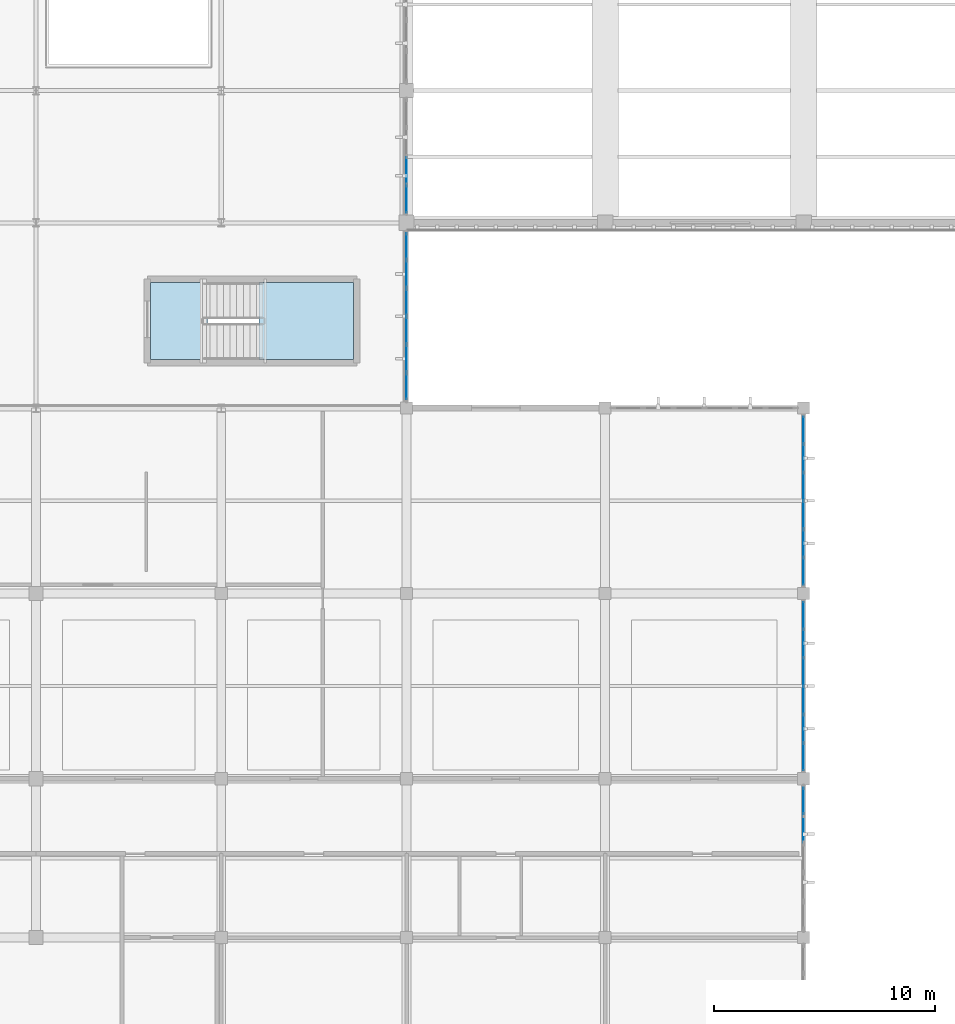
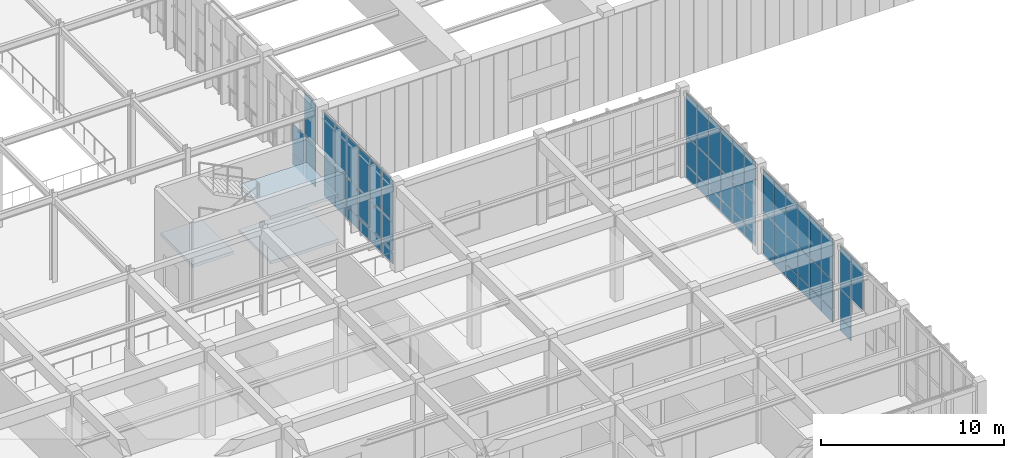
# One storey, part 58 of 105: 63 plates, 3 slabs, 6 elements without a shape of their own.
"""IFC4 building model written with IfcOpenShell, lengths in metres."""

import ifcopenshell
import ifcopenshell.guid

model = None  # the IFC model being written
_history = None  # IfcOwnerHistory: only IFC2X3 demands one
_inside = {}  # id of a spatial element -> (the spatial element, [elements in it])
_under = {}  # id of a project, library or spatial element -> (it, [spatial elements below it])
_declared = {}  # id of a project -> (the project, [libraries it declares])
_typed = {}  # id of a type object -> (the type object, [elements of that type])
_made_of = {}  # id of a material, layer set ... -> (it, [elements and type objects made of it])


def new_model(schema):
    """Start an empty IFC model of exactly this schema.

    Asked for "IFC4X3", IfcOpenShell would pick the latest addendum, in which some entities
    have other attributes; the version numbers below select the first issue.
    IFC2X3 requires an IfcOwnerHistory on every rooted entity: one is made here for all.
    """
    global model, _history
    if schema == "IFC4X3":
        model = ifcopenshell.file(schema_version=(4, 3, 0, 0))
    else:
        model = ifcopenshell.file(schema=schema)
    _inside.clear()
    _under.clear()
    _declared.clear()
    _typed.clear()
    _made_of.clear()
    _history = None
    if model.schema == "IFC2X3":
        org = make("IfcOrganization", Name="unknown")
        user = make(
            "IfcPersonAndOrganization",
            ThePerson=make("IfcPerson", FamilyName="unknown"),
            TheOrganization=org,
        )
        app = make(
            "IfcApplication",
            ApplicationDeveloper=org,
            Version="unknown",
            ApplicationFullName="unknown",
            ApplicationIdentifier="unknown",
        )
        _history = make(
            "IfcOwnerHistory",
            OwningUser=user,
            OwningApplication=app,
            ChangeAction="ADDED",
            CreationDate=0,
        )
    return model


def make(cls, **values):
    """One entity of the class cls with the attributes given. An attribute that is None is left unset."""
    return model.create_entity(
        cls, **{name: value for name, value in values.items() if value is not None}
    )


def rooted(cls, **values):
    """An entity with a GlobalId (a new one), such as an element, a storey or a relation."""
    return make(cls, GlobalId=ifcopenshell.guid.new(), OwnerHistory=_history, **values)


def si_unit(unit_type, name, prefix=None):
    """IfcSIUnit, for example si_unit("LENGTHUNIT", "METRE", prefix="MILLI")."""
    return make("IfcSIUnit", UnitType=unit_type, Prefix=prefix, Name=name)


def assignment(units):
    """IfcUnitAssignment: the units of a project."""
    return None if units is None else make("IfcUnitAssignment", Units=units)


def point(xyz):
    """IfcCartesianPoint."""
    return None if xyz is None else make("IfcCartesianPoint", Coordinates=xyz)


def direction(xyz):
    """IfcDirection."""
    return None if xyz is None else make("IfcDirection", DirectionRatios=xyz)


def frame(location, z_axis=None, x_axis=None):
    """IfcAxis2Placement3D, a coordinate frame: its origin and axes. An axis left out is left unset."""
    return make(
        "IfcAxis2Placement3D",
        Location=point(location),
        Axis=direction(z_axis),
        RefDirection=direction(x_axis),
    )


def frame_2d(location, x_axis=None):
    """IfcAxis2Placement2D, a coordinate frame in the plane: its origin and x axis."""
    return make(
        "IfcAxis2Placement2D", Location=point(location), RefDirection=direction(x_axis)
    )


def origin():
    """The frame at (0, 0, 0) with its axes left unset."""
    return frame((0.0, 0.0, 0.0))


def origin_2d():
    """The frame at (0, 0) in the plane with its x axis left unset."""
    return frame_2d((0.0, 0.0))


def place(relative_to, where):
    """IfcLocalPlacement: puts the frame where relative to a parent placement (None: the world)."""
    return make(
        "IfcLocalPlacement", PlacementRelTo=relative_to, RelativePlacement=where
    )


def context(
    kind, dimensions, precision=None, world=None, true_north=None, identifier=None
):
    """IfcGeometricRepresentationContext, for example the 3D "Model" context."""
    return make(
        "IfcGeometricRepresentationContext",
        ContextIdentifier=identifier,
        ContextType=kind,
        CoordinateSpaceDimension=dimensions,
        Precision=precision,
        WorldCoordinateSystem=world,
        TrueNorth=true_north,
    )


def subcontext(parent, identifier, kind, view, scale=None):
    """IfcGeometricRepresentationSubContext, for example "Body" below "Model"."""
    return make(
        "IfcGeometricRepresentationSubContext",
        ContextIdentifier=identifier,
        ContextType=kind,
        ParentContext=parent,
        TargetScale=scale,
        TargetView=view,
    )


def project(units=None, contexts=None):
    """IfcProject with its units and contexts."""
    return rooted(
        "IfcProject",
        Name="project",
        RepresentationContexts=contexts,
        UnitsInContext=assignment(units),
    )


def spatial(cls, under=None, at=None, **own):
    """A site, building, storey or space (cls), placed at a placement, below another one or the project."""
    s = rooted(cls, ObjectPlacement=at, **own)
    if under is not None:
        _under.setdefault(under.id(), (under, []))[1].append(s)
    return s


def polyline(points):
    """IfcPolyline through the points."""
    return make("IfcPolyline", Points=[point(p) for p in points])


def profile(cls, at=None, kind="AREA", **sizes):
    """A parametric profile (cls). Its sizes go by their IFC names, for example OverallWidth=200.0."""
    return make(cls, ProfileType=kind, Position=at, **sizes)


def rectangle(**sizes):
    """IfcRectangleProfileDef."""
    return profile("IfcRectangleProfileDef", **sizes)


def outline(outer, holes=None, kind="AREA"):
    """IfcArbitraryClosedProfileDef: a profile drawn as a closed curve; with holes, ...WithVoids."""
    if holes is None:
        return make("IfcArbitraryClosedProfileDef", ProfileType=kind, OuterCurve=outer)
    return make(
        "IfcArbitraryProfileDefWithVoids",
        ProfileType=kind,
        OuterCurve=outer,
        InnerCurves=holes,
    )


def extrude(swept, where, along, depth):
    """IfcExtrudedAreaSolid: the profile swept, set in the frame where, extruded along a direction by depth."""
    return make(
        "IfcExtrudedAreaSolid",
        SweptArea=swept,
        Position=where,
        ExtrudedDirection=direction(along),
        Depth=depth,
    )


def shape(context_of_items, identifier, shape_type, items):
    """IfcShapeRepresentation: the items that make up one representation, for example the "Body"."""
    return make(
        "IfcShapeRepresentation",
        ContextOfItems=context_of_items,
        RepresentationIdentifier=identifier,
        RepresentationType=shape_type,
        Items=items,
    )


def material(Name=None, Category=None):
    """IfcMaterial."""
    return make("IfcMaterial", Name=Name, Category=Category)


def layer(
    of_material, thickness, ventilated=None, Name=None, Category=None, Priority=None
):
    """IfcMaterialLayer: one layer of a wall or slab, of a material (None: an air gap)."""
    return make(
        "IfcMaterialLayer",
        Material=of_material,
        LayerThickness=thickness,
        IsVentilated=ventilated,
        Name=Name,
        Category=Category,
        Priority=Priority,
    )


def layer_set(layers, Name=None):
    """IfcMaterialLayerSet."""
    return make("IfcMaterialLayerSet", MaterialLayers=layers, LayerSetName=Name)


def made_of(thing, what):
    """Note that an element or type object is made of a material, layer set ...; save() writes the relation."""
    if what is not None:
        _made_of.setdefault(what.id(), (what, []))[1].append(thing)
    return thing


def type_object(cls, material=None, **own):
    """A type object (cls), such as IfcWallType, which elements share."""
    return made_of(rooted(cls, **own), material)


def element(
    cls,
    number,
    at=None,
    inside=None,
    cuts=None,
    type_object=None,
    material=None,
    context=None,
    identifier="Body",
    shape_type=None,
    held_by="IfcProductDefinitionShape",
    body=None,
    shapes=None,
    **own,
):
    """One element of the class cls, such as IfcWall. Its Tag is "e" and its number.

    at: its placement. inside: the storey or other place that contains it. cuts: it is an
    opening in that element (IfcRelVoidsElement). A single representation is given by context,
    identifier, shape_type and body (its items); several are given by shapes. held_by: the class
    of the entity that holds the representations. save() writes the other relations.
    """
    e = rooted(cls, Tag="e%d" % number, ObjectPlacement=at, **own)
    if body is not None:
        shapes = [shape(context, identifier, shape_type, body)]
    if shapes is not None:
        e.Representation = make(held_by, Representations=shapes)
    if inside is not None:
        _inside.setdefault(inside.id(), (inside, []))[1].append(e)
    if cuts is not None:
        rooted(
            "IfcRelVoidsElement", RelatingBuildingElement=cuts, RelatedOpeningElement=e
        )
    if type_object is not None:
        _typed.setdefault(type_object.id(), (type_object, []))[1].append(e)
    return made_of(e, material)


def aggregate(whole, parts):
    """IfcRelAggregates: a whole, such as a stair, and the parts it consists of."""
    return rooted("IfcRelAggregates", RelatingObject=whole, RelatedObjects=parts)


def save(model, path):
    """Write the relations noted so far, then the file.

    IfcRelAggregates (storeys below a building ...), IfcRelContainedInSpatialStructure (elements
    in a storey), IfcRelDefinesByType, IfcRelAssociatesMaterial and IfcRelDeclares: one each for
    every whole, place, type object, material and project.
    """
    for whole, parts in _under.values():
        aggregate(whole, parts)
    for where, things in _inside.values():
        rooted(
            "IfcRelContainedInSpatialStructure",
            RelatedElements=things,
            RelatingStructure=where,
        )
    for kind, things in _typed.values():
        rooted("IfcRelDefinesByType", RelatedObjects=things, RelatingType=kind)
    for what, things in _made_of.values():
        rooted("IfcRelAssociatesMaterial", RelatedObjects=things, RelatingMaterial=what)
    for by, libraries in _declared.values():
        rooted("IfcRelDeclares", RelatingContext=by, RelatedDefinitions=libraries)
    model.write(path)


model = new_model("IFC4")

# Units and contexts
model_context = context("Model", 3, precision=1e-05, world=origin(), true_north=direction((0.0, 1.0)))
body_context = subcontext(model_context, "Body", "Model", "MODEL_VIEW")
ifc_project = project(units=[si_unit("LENGTHUNIT", "METRE"), si_unit("AREAUNIT", "SQUARE_METRE"), si_unit("VOLUMEUNIT", "CUBIC_METRE"), si_unit("PLANEANGLEUNIT", "RADIAN"), si_unit("MASSUNIT", "GRAM", prefix="KILO")], contexts=[model_context])

# Site, building, storey
site_placement = place(None, origin())
site = spatial("IfcSite", under=ifc_project, at=site_placement, CompositionType="ELEMENT")
building_placement = place(site_placement, origin())
building = spatial("IfcBuilding", under=site, at=building_placement, Name="Tizgana Railside Sports Hall", CompositionType="ELEMENT")
storey_placement = place(building_placement, frame((0.0, 0.0, 6.0)))
storey = spatial("IfcBuildingStorey", under=building, at=storey_placement, Name="L01", CompositionType="ELEMENT", Elevation=6.0)

# Curtain wall, plates
ifc_material_1 = material(Name="Anodised aluminium and glass", Category="aluminium")
curtain_wall_type_1 = type_object("IfcCurtainWallType", Name="Unitised Curtain Wall Passage 1800", PredefinedType="NOTDEFINED", material=ifc_material_1)
curtain_wall_1_placement = place(storey_placement, origin())
curtain_wall_1 = element("IfcCurtainWall", 1, at=curtain_wall_1_placement, inside=storey, type_object=curtain_wall_type_1, Name="L01 Curtain Wall CW-0101", PredefinedType="NOTDEFINED")
ifc_material_2 = material(Name="Double low-E laminated glass", Category="glass")
ifc_layer_1 = layer(ifc_material_2, 0.033935546875, Name="Double low-E laminated glass")
ifc_layer_set_1 = layer_set([ifc_layer_1], Name="Double low-E laminated glass")
plate_type_1 = type_object("IfcPlateType", Name="Acoustic Laminated Glazing Panel 34", PredefinedType="CURTAIN_PANEL", material=ifc_layer_set_1)
plate_1_placement = place(storey_placement, frame((97.800048828125, 14.59716796875, 0.05517578125), z_axis=(0.0, 0.0, 1.0), x_axis=(0.0, -1.0, 0.0)))
plate_1 = element("IfcPlate", 2, at=plate_1_placement, type_object=plate_type_1, Name="CW-06 panel 1.1", PredefinedType="CURTAIN_PANEL", context=body_context, shape_type="SweptSolid", body=[
    extrude(rectangle(XDim=1.195556640625, YDim=0.033935546875, at=origin_2d()), origin(), (0.0, 0.0, 1.0), 0.8173828125),
])
plate_2_placement = place(storey_placement, frame((97.800048828125, 14.59716796875, 0.92724609375), z_axis=(0.0, 0.0, 1.0), x_axis=(0.0, -1.0, 0.0)))
plate_2 = element("IfcPlate", 3, at=plate_2_placement, type_object=plate_type_1, Name="CW-06 panel 1.2", PredefinedType="CURTAIN_PANEL", context=body_context, shape_type="SweptSolid", body=[
    extrude(rectangle(XDim=1.195556640625, YDim=0.033935546875, at=origin_2d()), origin(), (0.0, 0.0, 1.0), 1.905029296875),
])
plate_3_placement = place(storey_placement, frame((97.800048828125, 14.59716796875, 2.8876953125), z_axis=(0.0, 0.0, 1.0), x_axis=(0.0, -1.0, 0.0)))
plate_3 = element("IfcPlate", 4, at=plate_3_placement, type_object=plate_type_1, Name="CW-06 panel 1.3", PredefinedType="CURTAIN_PANEL", context=body_context, shape_type="SweptSolid", body=[
    extrude(rectangle(XDim=1.195556640625, YDim=0.033935546875, at=origin_2d()), origin(), (0.0, 0.0, 1.0), 2.777587890625),
])
plate_4_placement = place(storey_placement, frame((97.800048828125, 13.30810546875, 2.8876953125), z_axis=(0.0, 0.0, 1.0), x_axis=(0.0, -1.0, 0.0)))
plate_4 = element("IfcPlate", 5, at=plate_4_placement, type_object=plate_type_1, Name="CW-06 panel 2.3", PredefinedType="CURTAIN_PANEL", context=body_context, shape_type="SweptSolid", body=[
    extrude(rectangle(XDim=1.23291015625, YDim=0.033935546875, at=origin_2d()), origin(), (0.0, 0.0, 1.0), 2.777587890625),
])
aggregate(curtain_wall_1, [plate_1, plate_2, plate_3, plate_4])

# Stair, slabs
ifc_material_3 = material(Name="Concrete C35/45", Category="concrete")
stair_type = type_object("IfcStairType", Name="Tournament Court Stair 1600", PredefinedType="HALF_TURN_STAIR", material=ifc_material_3)
stair_placement = place(storey_placement, origin())
stair = element("IfcStair", 6, at=stair_placement, inside=storey, type_object=stair_type, Name="L01 Core Stair ST-10", PredefinedType="HALF_TURN_STAIR")
ifc_layer_2 = layer(ifc_material_3, 0.199951171875, Name="Concrete C35/45")
ifc_layer_set_2 = layer_set([ifc_layer_2], Name="Concrete C35/45")
slab_type = type_object("IfcSlabType", Name="Core Stair Landing Slab 200", PredefinedType="LANDING", material=ifc_layer_set_2)
slab_1_placement = place(storey_placement, frame((0.0, 0.0, 1.300048828125)))
slab_1 = element("IfcSlab", 7, at=slab_1_placement, type_object=slab_type, Name="ST-10 landing 1", PredefinedType="LANDING", context=body_context, shape_type="SweptSolid", body=[
    extrude(outline(polyline([(73.1201171875, 34.60009765625), (77.39990234375, 34.60009765625), (77.39990234375, 38.10009765625), (73.1201171875, 38.10009765625), (73.1201171875, 34.60009765625)])), origin(), (0.0, 0.0, 1.0), 0.199951171875),
])
slab_2_placement = place(storey_placement, frame((0.0, 0.0, 2.800048828125)))
slab_2 = element("IfcSlab", 8, at=slab_2_placement, type_object=slab_type, Name="ST-10 landing 2", PredefinedType="LANDING", context=body_context, shape_type="SweptSolid", body=[
    extrude(outline(polyline([(68.199951171875, 34.60009765625), (70.780029296875, 34.60009765625), (70.780029296875, 38.10009765625), (68.199951171875, 38.10009765625), (68.199951171875, 34.60009765625)])), origin(), (0.0, 0.0, 1.0), 0.199951171875),
])
slab_3_placement = place(storey_placement, frame((0.0, 0.0, 4.300048828125)))
slab_3 = element("IfcSlab", 9, at=slab_3_placement, type_object=slab_type, Name="ST-10 landing 3", PredefinedType="LANDING", context=body_context, shape_type="SweptSolid", body=[
    extrude(outline(polyline([(73.1201171875, 34.60009765625), (77.39990234375, 34.60009765625), (77.39990234375, 38.10009765625), (73.1201171875, 38.10009765625), (73.1201171875, 34.60009765625)])), origin(), (0.0, 0.0, 1.0), 0.199951171875),
])
aggregate(stair, [slab_1, slab_2, slab_3])

# Curtain wall, plates
curtain_wall_type_2 = type_object("IfcCurtainWallType", Name="Unitised Curtain Wall WestHall 1560", PredefinedType="NOTDEFINED", material=ifc_material_1)
curtain_wall_2_placement = place(storey_placement, origin())
curtain_wall_2 = element("IfcCurtainWall", 10, at=curtain_wall_2_placement, inside=storey, type_object=curtain_wall_type_2, Name="L01 Curtain Wall CW-0102", PredefinedType="NOTDEFINED")
ifc_layer_3 = layer(ifc_material_2, 0.0400390625, Name="Double low-E laminated glass")
ifc_layer_set_3 = layer_set([ifc_layer_3], Name="Double low-E laminated glass")
plate_type_2 = type_object("IfcPlateType", Name="High-Span Tempered Glazing Panel 40", PredefinedType="CURTAIN_PANEL", material=ifc_layer_set_3)
plate_5_placement = place(storey_placement, frame((97.800048828125, 23.010009765625, 0.06005859375), z_axis=(0.0, 0.0, 1.0), x_axis=(0.0, -1.0, 0.0)))
plate_5 = element("IfcPlate", 11, at=plate_5_placement, type_object=plate_type_2, Name="CW-07 panel 1.1", PredefinedType="CURTAIN_PANEL", context=body_context, shape_type="SweptSolid", body=[
    extrude(rectangle(XDim=1.199951171875, YDim=0.0400390625, at=origin_2d()), origin(), (0.0, 0.0, 1.0), 0.81005859375),
])
plate_6_placement = place(storey_placement, frame((97.800048828125, 23.010009765625, 0.929931640625), z_axis=(0.0, 0.0, 1.0), x_axis=(0.0, -1.0, 0.0)))
plate_6 = element("IfcPlate", 12, at=plate_6_placement, type_object=plate_type_2, Name="CW-07 panel 1.2", PredefinedType="CURTAIN_PANEL", context=body_context, shape_type="SweptSolid", body=[
    extrude(rectangle(XDim=1.199951171875, YDim=0.0400390625, at=origin_2d()), origin(), (0.0, 0.0, 1.0), 1.89990234375),
])
plate_7_placement = place(storey_placement, frame((97.800048828125, 23.010009765625, 2.889892578125), z_axis=(0.0, 0.0, 1.0), x_axis=(0.0, -1.0, 0.0)))
plate_7 = element("IfcPlate", 13, at=plate_7_placement, type_object=plate_type_2, Name="CW-07 panel 1.3", PredefinedType="CURTAIN_PANEL", context=body_context, shape_type="SweptSolid", body=[
    extrude(rectangle(XDim=1.199951171875, YDim=0.0400390625, at=origin_2d()), origin(), (0.0, 0.0, 1.0), 2.77001953125),
])
plate_8_placement = place(storey_placement, frame((97.800048828125, 21.735107421875, 0.06005859375), z_axis=(0.0, 0.0, 1.0), x_axis=(0.0, -1.0, 0.0)))
plate_8 = element("IfcPlate", 14, at=plate_8_placement, type_object=plate_type_2, Name="CW-07 panel 2.1", PredefinedType="CURTAIN_PANEL", context=body_context, shape_type="SweptSolid", body=[
    extrude(rectangle(XDim=1.22998046875, YDim=0.0400390625, at=origin_2d()), origin(), (0.0, 0.0, 1.0), 0.81005859375),
])
plate_9_placement = place(storey_placement, frame((97.800048828125, 21.735107421875, 0.929931640625), z_axis=(0.0, 0.0, 1.0), x_axis=(0.0, -1.0, 0.0)))
plate_9 = element("IfcPlate", 15, at=plate_9_placement, type_object=plate_type_2, Name="CW-07 panel 2.2", PredefinedType="CURTAIN_PANEL", context=body_context, shape_type="SweptSolid", body=[
    extrude(rectangle(XDim=1.22998046875, YDim=0.0400390625, at=origin_2d()), origin(), (0.0, 0.0, 1.0), 1.89990234375),
])
plate_10_placement = place(storey_placement, frame((97.800048828125, 21.735107421875, 2.889892578125), z_axis=(0.0, 0.0, 1.0), x_axis=(0.0, -1.0, 0.0)))
plate_10 = element("IfcPlate", 16, at=plate_10_placement, type_object=plate_type_2, Name="CW-07 panel 2.3", PredefinedType="CURTAIN_PANEL", context=body_context, shape_type="SweptSolid", body=[
    extrude(rectangle(XDim=1.22998046875, YDim=0.0400390625, at=origin_2d()), origin(), (0.0, 0.0, 1.0), 2.77001953125),
])
plate_11_placement = place(storey_placement, frame((97.800048828125, 20.445068359375, 0.06005859375), z_axis=(0.0, 0.0, 1.0), x_axis=(0.0, -1.0, 0.0)))
plate_11 = element("IfcPlate", 17, at=plate_11_placement, type_object=plate_type_2, Name="CW-07 panel 3.1", PredefinedType="CURTAIN_PANEL", context=body_context, shape_type="SweptSolid", body=[
    extrude(rectangle(XDim=1.22998046875, YDim=0.0400390625, at=origin_2d()), origin(), (0.0, 0.0, 1.0), 0.81005859375),
])
plate_12_placement = place(storey_placement, frame((97.800048828125, 20.445068359375, 0.929931640625), z_axis=(0.0, 0.0, 1.0), x_axis=(0.0, -1.0, 0.0)))
plate_12 = element("IfcPlate", 18, at=plate_12_placement, type_object=plate_type_2, Name="CW-07 panel 3.2", PredefinedType="CURTAIN_PANEL", context=body_context, shape_type="SweptSolid", body=[
    extrude(rectangle(XDim=1.22998046875, YDim=0.0400390625, at=origin_2d()), origin(), (0.0, 0.0, 1.0), 1.89990234375),
])
plate_13_placement = place(storey_placement, frame((97.800048828125, 20.445068359375, 2.889892578125), z_axis=(0.0, 0.0, 1.0), x_axis=(0.0, -1.0, 0.0)))
plate_13 = element("IfcPlate", 19, at=plate_13_placement, type_object=plate_type_2, Name="CW-07 panel 3.3", PredefinedType="CURTAIN_PANEL", context=body_context, shape_type="SweptSolid", body=[
    extrude(rectangle(XDim=1.22998046875, YDim=0.0400390625, at=origin_2d()), origin(), (0.0, 0.0, 1.0), 2.77001953125),
])
plate_14_placement = place(storey_placement, frame((97.800048828125, 19.155029296875, 0.06005859375), z_axis=(0.0, 0.0, 1.0), x_axis=(0.0, -1.0, 0.0)))
plate_14 = element("IfcPlate", 20, at=plate_14_placement, type_object=plate_type_2, Name="CW-07 panel 4.1", PredefinedType="CURTAIN_PANEL", context=body_context, shape_type="SweptSolid", body=[
    extrude(rectangle(XDim=1.22998046875, YDim=0.0400390625, at=origin_2d()), origin(), (0.0, 0.0, 1.0), 0.81005859375),
])
plate_15_placement = place(storey_placement, frame((97.800048828125, 19.155029296875, 0.929931640625), z_axis=(0.0, 0.0, 1.0), x_axis=(0.0, -1.0, 0.0)))
plate_15 = element("IfcPlate", 21, at=plate_15_placement, type_object=plate_type_2, Name="CW-07 panel 4.2", PredefinedType="CURTAIN_PANEL", context=body_context, shape_type="SweptSolid", body=[
    extrude(rectangle(XDim=1.22998046875, YDim=0.0400390625, at=origin_2d()), origin(), (0.0, 0.0, 1.0), 1.89990234375),
])
plate_16_placement = place(storey_placement, frame((97.800048828125, 19.155029296875, 2.889892578125), z_axis=(0.0, 0.0, 1.0), x_axis=(0.0, -1.0, 0.0)))
plate_16 = element("IfcPlate", 22, at=plate_16_placement, type_object=plate_type_2, Name="CW-07 panel 4.3", PredefinedType="CURTAIN_PANEL", context=body_context, shape_type="SweptSolid", body=[
    extrude(rectangle(XDim=1.22998046875, YDim=0.0400390625, at=origin_2d()), origin(), (0.0, 0.0, 1.0), 2.77001953125),
])
plate_17_placement = place(storey_placement, frame((97.800048828125, 17.864990234375, 0.06005859375), z_axis=(0.0, 0.0, 1.0), x_axis=(0.0, -1.0, 0.0)))
plate_17 = element("IfcPlate", 23, at=plate_17_placement, type_object=plate_type_2, Name="CW-07 panel 5.1", PredefinedType="CURTAIN_PANEL", context=body_context, shape_type="SweptSolid", body=[
    extrude(rectangle(XDim=1.22998046875, YDim=0.0400390625, at=origin_2d()), origin(), (0.0, 0.0, 1.0), 0.81005859375),
])
plate_18_placement = place(storey_placement, frame((97.800048828125, 17.864990234375, 0.929931640625), z_axis=(0.0, 0.0, 1.0), x_axis=(0.0, -1.0, 0.0)))
plate_18 = element("IfcPlate", 24, at=plate_18_placement, type_object=plate_type_2, Name="CW-07 panel 5.2", PredefinedType="CURTAIN_PANEL", context=body_context, shape_type="SweptSolid", body=[
    extrude(rectangle(XDim=1.22998046875, YDim=0.0400390625, at=origin_2d()), origin(), (0.0, 0.0, 1.0), 1.89990234375),
])
plate_19_placement = place(storey_placement, frame((97.800048828125, 17.864990234375, 2.889892578125), z_axis=(0.0, 0.0, 1.0), x_axis=(0.0, -1.0, 0.0)))
plate_19 = element("IfcPlate", 25, at=plate_19_placement, type_object=plate_type_2, Name="CW-07 panel 5.3", PredefinedType="CURTAIN_PANEL", context=body_context, shape_type="SweptSolid", body=[
    extrude(rectangle(XDim=1.22998046875, YDim=0.0400390625, at=origin_2d()), origin(), (0.0, 0.0, 1.0), 2.77001953125),
])
plate_20_placement = place(storey_placement, frame((97.800048828125, 16.590087890625, 0.06005859375), z_axis=(0.0, 0.0, 1.0), x_axis=(0.0, -1.0, 0.0)))
plate_20 = element("IfcPlate", 26, at=plate_20_placement, type_object=plate_type_2, Name="CW-07 panel 6.1", PredefinedType="CURTAIN_PANEL", context=body_context, shape_type="SweptSolid", body=[
    extrude(rectangle(XDim=1.199951171875, YDim=0.0400390625, at=origin_2d()), origin(), (0.0, 0.0, 1.0), 0.81005859375),
])
plate_21_placement = place(storey_placement, frame((97.800048828125, 16.590087890625, 0.929931640625), z_axis=(0.0, 0.0, 1.0), x_axis=(0.0, -1.0, 0.0)))
plate_21 = element("IfcPlate", 27, at=plate_21_placement, type_object=plate_type_2, Name="CW-07 panel 6.2", PredefinedType="CURTAIN_PANEL", context=body_context, shape_type="SweptSolid", body=[
    extrude(rectangle(XDim=1.199951171875, YDim=0.0400390625, at=origin_2d()), origin(), (0.0, 0.0, 1.0), 1.89990234375),
])
plate_22_placement = place(storey_placement, frame((97.800048828125, 16.590087890625, 2.889892578125), z_axis=(0.0, 0.0, 1.0), x_axis=(0.0, -1.0, 0.0)))
plate_22 = element("IfcPlate", 28, at=plate_22_placement, type_object=plate_type_2, Name="CW-07 panel 6.3", PredefinedType="CURTAIN_PANEL", context=body_context, shape_type="SweptSolid", body=[
    extrude(rectangle(XDim=1.199951171875, YDim=0.0400390625, at=origin_2d()), origin(), (0.0, 0.0, 1.0), 2.77001953125),
])
aggregate(curtain_wall_2, [plate_5, plate_6, plate_7, plate_8, plate_9, plate_10, plate_11, plate_12, plate_13, plate_14, plate_15, plate_16, plate_17, plate_18, plate_19, plate_20, plate_21, plate_22])

curtain_wall_type_3 = type_object("IfcCurtainWallType", Name="Unitised Curtain Wall EastHall 1500", PredefinedType="NOTDEFINED", material=ifc_material_1)
curtain_wall_3_placement = place(storey_placement, origin())
curtain_wall_3 = element("IfcCurtainWall", 29, at=curtain_wall_3_placement, inside=storey, type_object=curtain_wall_type_3, Name="L01 Curtain Wall CW-0103", PredefinedType="NOTDEFINED")
ifc_layer_4 = layer(ifc_material_2, 0.031982421875, Name="Double low-E laminated glass")
ifc_layer_set_4 = layer_set([ifc_layer_4], Name="Double low-E laminated glass")
plate_type_3 = type_object("IfcPlateType", Name="North-Light Clerestory Glazing Panel 32", PredefinedType="CURTAIN_PANEL", material=ifc_layer_set_4)
plate_23_placement = place(storey_placement, frame((97.800048828125, 31.409912109375, 0.06005859375), z_axis=(0.0, 0.0, 1.0), x_axis=(0.0, -1.0, 0.0)))
plate_23 = element("IfcPlate", 30, at=plate_23_placement, type_object=plate_type_3, Name="CW-08 panel 1.1", PredefinedType="CURTAIN_PANEL", context=body_context, shape_type="SweptSolid", body=[
    extrude(rectangle(XDim=1.199951171875, YDim=0.031982421875, at=origin_2d()), origin(), (0.0, 0.0, 1.0), 0.81005859375),
])
plate_24_placement = place(storey_placement, frame((97.800048828125, 31.409912109375, 0.929931640625), z_axis=(0.0, 0.0, 1.0), x_axis=(0.0, -1.0, 0.0)))
plate_24 = element("IfcPlate", 31, at=plate_24_placement, type_object=plate_type_3, Name="CW-08 panel 1.2", PredefinedType="CURTAIN_PANEL", context=body_context, shape_type="SweptSolid", body=[
    extrude(rectangle(XDim=1.199951171875, YDim=0.031982421875, at=origin_2d()), origin(), (0.0, 0.0, 1.0), 1.89990234375),
])
plate_25_placement = place(storey_placement, frame((97.800048828125, 31.409912109375, 2.889892578125), z_axis=(0.0, 0.0, 1.0), x_axis=(0.0, -1.0, 0.0)))
plate_25 = element("IfcPlate", 32, at=plate_25_placement, type_object=plate_type_3, Name="CW-08 panel 1.3", PredefinedType="CURTAIN_PANEL", context=body_context, shape_type="SweptSolid", body=[
    extrude(rectangle(XDim=1.199951171875, YDim=0.031982421875, at=origin_2d()), origin(), (0.0, 0.0, 1.0), 2.77001953125),
])
plate_26_placement = place(storey_placement, frame((97.800048828125, 30.135009765625, 0.06005859375), z_axis=(0.0, 0.0, 1.0), x_axis=(0.0, -1.0, 0.0)))
plate_26 = element("IfcPlate", 33, at=plate_26_placement, type_object=plate_type_3, Name="CW-08 panel 2.1", PredefinedType="CURTAIN_PANEL", context=body_context, shape_type="SweptSolid", body=[
    extrude(rectangle(XDim=1.22998046875, YDim=0.031982421875, at=origin_2d()), origin(), (0.0, 0.0, 1.0), 0.81005859375),
])
plate_27_placement = place(storey_placement, frame((97.800048828125, 30.135009765625, 0.929931640625), z_axis=(0.0, 0.0, 1.0), x_axis=(0.0, -1.0, 0.0)))
plate_27 = element("IfcPlate", 34, at=plate_27_placement, type_object=plate_type_3, Name="CW-08 panel 2.2", PredefinedType="CURTAIN_PANEL", context=body_context, shape_type="SweptSolid", body=[
    extrude(rectangle(XDim=1.22998046875, YDim=0.031982421875, at=origin_2d()), origin(), (0.0, 0.0, 1.0), 1.89990234375),
])
plate_28_placement = place(storey_placement, frame((97.800048828125, 30.135009765625, 2.889892578125), z_axis=(0.0, 0.0, 1.0), x_axis=(0.0, -1.0, 0.0)))
plate_28 = element("IfcPlate", 35, at=plate_28_placement, type_object=plate_type_3, Name="CW-08 panel 2.3", PredefinedType="CURTAIN_PANEL", context=body_context, shape_type="SweptSolid", body=[
    extrude(rectangle(XDim=1.22998046875, YDim=0.031982421875, at=origin_2d()), origin(), (0.0, 0.0, 1.0), 2.77001953125),
])
plate_29_placement = place(storey_placement, frame((97.800048828125, 28.844970703125, 0.06005859375), z_axis=(0.0, 0.0, 1.0), x_axis=(0.0, -1.0, 0.0)))
plate_29 = element("IfcPlate", 36, at=plate_29_placement, type_object=plate_type_3, Name="CW-08 panel 3.1", PredefinedType="CURTAIN_PANEL", context=body_context, shape_type="SweptSolid", body=[
    extrude(rectangle(XDim=1.22998046875, YDim=0.031982421875, at=origin_2d()), origin(), (0.0, 0.0, 1.0), 0.81005859375),
])
plate_30_placement = place(storey_placement, frame((97.800048828125, 28.844970703125, 0.929931640625), z_axis=(0.0, 0.0, 1.0), x_axis=(0.0, -1.0, 0.0)))
plate_30 = element("IfcPlate", 37, at=plate_30_placement, type_object=plate_type_3, Name="CW-08 panel 3.2", PredefinedType="CURTAIN_PANEL", context=body_context, shape_type="SweptSolid", body=[
    extrude(rectangle(XDim=1.22998046875, YDim=0.031982421875, at=origin_2d()), origin(), (0.0, 0.0, 1.0), 1.89990234375),
])
plate_31_placement = place(storey_placement, frame((97.800048828125, 28.844970703125, 2.889892578125), z_axis=(0.0, 0.0, 1.0), x_axis=(0.0, -1.0, 0.0)))
plate_31 = element("IfcPlate", 38, at=plate_31_placement, type_object=plate_type_3, Name="CW-08 panel 3.3", PredefinedType="CURTAIN_PANEL", context=body_context, shape_type="SweptSolid", body=[
    extrude(rectangle(XDim=1.22998046875, YDim=0.031982421875, at=origin_2d()), origin(), (0.0, 0.0, 1.0), 2.77001953125),
])
plate_32_placement = place(storey_placement, frame((97.800048828125, 27.554931640625, 0.06005859375), z_axis=(0.0, 0.0, 1.0), x_axis=(0.0, -1.0, 0.0)))
plate_32 = element("IfcPlate", 39, at=plate_32_placement, type_object=plate_type_3, Name="CW-08 panel 4.1", PredefinedType="CURTAIN_PANEL", context=body_context, shape_type="SweptSolid", body=[
    extrude(rectangle(XDim=1.22998046875, YDim=0.031982421875, at=origin_2d()), origin(), (0.0, 0.0, 1.0), 0.81005859375),
])
plate_33_placement = place(storey_placement, frame((97.800048828125, 27.554931640625, 0.929931640625), z_axis=(0.0, 0.0, 1.0), x_axis=(0.0, -1.0, 0.0)))
plate_33 = element("IfcPlate", 40, at=plate_33_placement, type_object=plate_type_3, Name="CW-08 panel 4.2", PredefinedType="CURTAIN_PANEL", context=body_context, shape_type="SweptSolid", body=[
    extrude(rectangle(XDim=1.22998046875, YDim=0.031982421875, at=origin_2d()), origin(), (0.0, 0.0, 1.0), 1.89990234375),
])
plate_34_placement = place(storey_placement, frame((97.800048828125, 27.554931640625, 2.889892578125), z_axis=(0.0, 0.0, 1.0), x_axis=(0.0, -1.0, 0.0)))
plate_34 = element("IfcPlate", 41, at=plate_34_placement, type_object=plate_type_3, Name="CW-08 panel 4.3", PredefinedType="CURTAIN_PANEL", context=body_context, shape_type="SweptSolid", body=[
    extrude(rectangle(XDim=1.22998046875, YDim=0.031982421875, at=origin_2d()), origin(), (0.0, 0.0, 1.0), 2.77001953125),
])
plate_35_placement = place(storey_placement, frame((97.800048828125, 26.264892578125, 0.06005859375), z_axis=(0.0, 0.0, 1.0), x_axis=(0.0, -1.0, 0.0)))
plate_35 = element("IfcPlate", 42, at=plate_35_placement, type_object=plate_type_3, Name="CW-08 panel 5.1", PredefinedType="CURTAIN_PANEL", context=body_context, shape_type="SweptSolid", body=[
    extrude(rectangle(XDim=1.22998046875, YDim=0.031982421875, at=origin_2d()), origin(), (0.0, 0.0, 1.0), 0.81005859375),
])
plate_36_placement = place(storey_placement, frame((97.800048828125, 26.264892578125, 0.929931640625), z_axis=(0.0, 0.0, 1.0), x_axis=(0.0, -1.0, 0.0)))
plate_36 = element("IfcPlate", 43, at=plate_36_placement, type_object=plate_type_3, Name="CW-08 panel 5.2", PredefinedType="CURTAIN_PANEL", context=body_context, shape_type="SweptSolid", body=[
    extrude(rectangle(XDim=1.22998046875, YDim=0.031982421875, at=origin_2d()), origin(), (0.0, 0.0, 1.0), 1.89990234375),
])
plate_37_placement = place(storey_placement, frame((97.800048828125, 26.264892578125, 2.889892578125), z_axis=(0.0, 0.0, 1.0), x_axis=(0.0, -1.0, 0.0)))
plate_37 = element("IfcPlate", 44, at=plate_37_placement, type_object=plate_type_3, Name="CW-08 panel 5.3", PredefinedType="CURTAIN_PANEL", context=body_context, shape_type="SweptSolid", body=[
    extrude(rectangle(XDim=1.22998046875, YDim=0.031982421875, at=origin_2d()), origin(), (0.0, 0.0, 1.0), 2.77001953125),
])
plate_38_placement = place(storey_placement, frame((97.800048828125, 24.989990234375, 0.06005859375), z_axis=(0.0, 0.0, 1.0), x_axis=(0.0, -1.0, 0.0)))
plate_38 = element("IfcPlate", 45, at=plate_38_placement, type_object=plate_type_3, Name="CW-08 panel 6.1", PredefinedType="CURTAIN_PANEL", context=body_context, shape_type="SweptSolid", body=[
    extrude(rectangle(XDim=1.199951171875, YDim=0.031982421875, at=origin_2d()), origin(), (0.0, 0.0, 1.0), 0.81005859375),
])
plate_39_placement = place(storey_placement, frame((97.800048828125, 24.989990234375, 0.929931640625), z_axis=(0.0, 0.0, 1.0), x_axis=(0.0, -1.0, 0.0)))
plate_39 = element("IfcPlate", 46, at=plate_39_placement, type_object=plate_type_3, Name="CW-08 panel 6.2", PredefinedType="CURTAIN_PANEL", context=body_context, shape_type="SweptSolid", body=[
    extrude(rectangle(XDim=1.199951171875, YDim=0.031982421875, at=origin_2d()), origin(), (0.0, 0.0, 1.0), 1.89990234375),
])
plate_40_placement = place(storey_placement, frame((97.800048828125, 24.989990234375, 2.889892578125), z_axis=(0.0, 0.0, 1.0), x_axis=(0.0, -1.0, 0.0)))
plate_40 = element("IfcPlate", 47, at=plate_40_placement, type_object=plate_type_3, Name="CW-08 panel 6.3", PredefinedType="CURTAIN_PANEL", context=body_context, shape_type="SweptSolid", body=[
    extrude(rectangle(XDim=1.199951171875, YDim=0.031982421875, at=origin_2d()), origin(), (0.0, 0.0, 1.0), 2.77001953125),
])
aggregate(curtain_wall_3, [plate_23, plate_24, plate_25, plate_26, plate_27, plate_28, plate_29, plate_30, plate_31, plate_32, plate_33, plate_34, plate_35, plate_36, plate_37, plate_38, plate_39, plate_40])

curtain_wall_4_placement = place(storey_placement, origin())
curtain_wall_4 = element("IfcCurtainWall", 48, at=curtain_wall_4_placement, inside=storey, type_object=curtain_wall_type_3, Name="L01 Curtain Wall CW-0159", PredefinedType="NOTDEFINED")
plate_41_placement = place(storey_placement, frame((79.800048828125, 41.873046875, 0.06494140625), z_axis=(0.0, 0.0, 1.0), x_axis=(0.0, 1.0, 0.0)))
plate_41 = element("IfcPlate", 49, at=plate_41_placement, type_object=plate_type_3, Name="CW-08 panel 1.1", PredefinedType="CURTAIN_PANEL", context=body_context, shape_type="SweptSolid", body=[
    extrude(rectangle(XDim=1.206298828125, YDim=0.031982421875, at=origin_2d()), origin(), (0.0, 0.0, 1.0), 0.802490234375),
])
plate_42_placement = place(storey_placement, frame((79.800048828125, 41.873046875, 0.9326171875), z_axis=(0.0, 0.0, 1.0), x_axis=(0.0, 1.0, 0.0)))
plate_42 = element("IfcPlate", 50, at=plate_42_placement, type_object=plate_type_3, Name="CW-08 panel 1.2", PredefinedType="CURTAIN_PANEL", context=body_context, shape_type="SweptSolid", body=[
    extrude(rectangle(XDim=1.206298828125, YDim=0.031982421875, at=origin_2d()), origin(), (0.0, 0.0, 1.0), 1.8798828125),
])
plate_43_placement = place(storey_placement, frame((79.800048828125, 41.873046875, 2.87744140625), z_axis=(0.0, 0.0, 1.0), x_axis=(0.0, 1.0, 0.0)))
plate_43 = element("IfcPlate", 51, at=plate_43_placement, type_object=plate_type_3, Name="CW-08 panel 1.3", PredefinedType="CURTAIN_PANEL", context=body_context, shape_type="SweptSolid", body=[
    extrude(rectangle(XDim=1.206298828125, YDim=0.031982421875, at=origin_2d()), origin(), (0.0, 0.0, 1.0), 2.74755859375),
])
plate_44_placement = place(storey_placement, frame((79.800048828125, 43.16064453125, 0.06494140625), z_axis=(0.0, 0.0, 1.0), x_axis=(0.0, 1.0, 0.0)))
plate_44 = element("IfcPlate", 52, at=plate_44_placement, type_object=plate_type_3, Name="CW-08 panel 2.1", PredefinedType="CURTAIN_PANEL", context=body_context, shape_type="SweptSolid", body=[
    extrude(rectangle(XDim=1.23876953125, YDim=0.031982421875, at=origin_2d()), origin(), (0.0, 0.0, 1.0), 0.802490234375),
])
plate_45_placement = place(storey_placement, frame((79.800048828125, 43.16064453125, 0.9326171875), z_axis=(0.0, 0.0, 1.0), x_axis=(0.0, 1.0, 0.0)))
plate_45 = element("IfcPlate", 53, at=plate_45_placement, type_object=plate_type_3, Name="CW-08 panel 2.2", PredefinedType="CURTAIN_PANEL", context=body_context, shape_type="SweptSolid", body=[
    extrude(rectangle(XDim=1.23876953125, YDim=0.031982421875, at=origin_2d()), origin(), (0.0, 0.0, 1.0), 1.8798828125),
])
aggregate(curtain_wall_4, [plate_41, plate_42, plate_43, plate_44, plate_45])

curtain_wall_type_4 = type_object("IfcCurtainWallType", Name="Unitised Curtain Wall Concourse 1500", PredefinedType="NOTDEFINED", material=ifc_material_1)
curtain_wall_5_placement = place(storey_placement, origin())
curtain_wall_5 = element("IfcCurtainWall", 54, at=curtain_wall_5_placement, inside=storey, type_object=curtain_wall_type_4, Name="L01 Curtain Wall CW-0040", PredefinedType="NOTDEFINED")
ifc_layer_5 = layer(ifc_material_2, 0.028076171875, Name="Double low-E laminated glass")
ifc_layer_set_5 = layer_set([ifc_layer_5], Name="Double low-E laminated glass")
plate_type_4 = type_object("IfcPlateType", Name="Solar Low-E Glazing Panel 28", PredefinedType="CURTAIN_PANEL", material=ifc_layer_set_5)
plate_46_placement = place(storey_placement, frame((79.800048828125, 33.38623046875, 0.070068359375), z_axis=(0.0, 0.0, 1.0), x_axis=(0.0, 1.0, 0.0)))
plate_46 = element("IfcPlate", 55, at=plate_46_placement, type_object=plate_type_4, Name="CW-01 panel 1.1", PredefinedType="CURTAIN_PANEL", context=body_context, shape_type="SweptSolid", body=[
    extrude(rectangle(XDim=1.172607421875, YDim=0.028076171875, at=origin_2d()), origin(), (0.0, 0.0, 1.0), 0.794921875),
])
plate_47_placement = place(storey_placement, frame((79.800048828125, 33.38623046875, 0.93505859375), z_axis=(0.0, 0.0, 1.0), x_axis=(0.0, 1.0, 0.0)))
plate_47 = element("IfcPlate", 56, at=plate_47_placement, type_object=plate_type_4, Name="CW-01 panel 1.2", PredefinedType="CURTAIN_PANEL", context=body_context, shape_type="SweptSolid", body=[
    extrude(rectangle(XDim=1.172607421875, YDim=0.028076171875, at=origin_2d()), origin(), (0.0, 0.0, 1.0), 1.875),
])
plate_48_placement = place(storey_placement, frame((79.800048828125, 33.38623046875, 2.8798828125), z_axis=(0.0, 0.0, 1.0), x_axis=(0.0, 1.0, 0.0)))
plate_48 = element("IfcPlate", 57, at=plate_48_placement, type_object=plate_type_4, Name="CW-01 panel 1.3", PredefinedType="CURTAIN_PANEL", context=body_context, shape_type="SweptSolid", body=[
    extrude(rectangle(XDim=1.172607421875, YDim=0.028076171875, at=origin_2d()), origin(), (0.0, 0.0, 1.0), 2.739990234375),
])
plate_49_placement = place(storey_placement, frame((79.800048828125, 34.646240234375, 0.070068359375), z_axis=(0.0, 0.0, 1.0), x_axis=(0.0, 1.0, 0.0)))
plate_49 = element("IfcPlate", 58, at=plate_49_placement, type_object=plate_type_4, Name="CW-01 panel 2.1", PredefinedType="CURTAIN_PANEL", context=body_context, shape_type="SweptSolid", body=[
    extrude(rectangle(XDim=1.20751953125, YDim=0.028076171875, at=origin_2d()), origin(), (0.0, 0.0, 1.0), 0.794921875),
])
plate_50_placement = place(storey_placement, frame((79.800048828125, 34.646240234375, 0.93505859375), z_axis=(0.0, 0.0, 1.0), x_axis=(0.0, 1.0, 0.0)))
plate_50 = element("IfcPlate", 59, at=plate_50_placement, type_object=plate_type_4, Name="CW-01 panel 2.2", PredefinedType="CURTAIN_PANEL", context=body_context, shape_type="SweptSolid", body=[
    extrude(rectangle(XDim=1.20751953125, YDim=0.028076171875, at=origin_2d()), origin(), (0.0, 0.0, 1.0), 1.875),
])
plate_51_placement = place(storey_placement, frame((79.800048828125, 34.646240234375, 2.8798828125), z_axis=(0.0, 0.0, 1.0), x_axis=(0.0, 1.0, 0.0)))
plate_51 = element("IfcPlate", 60, at=plate_51_placement, type_object=plate_type_4, Name="CW-01 panel 2.3", PredefinedType="CURTAIN_PANEL", context=body_context, shape_type="SweptSolid", body=[
    extrude(rectangle(XDim=1.20751953125, YDim=0.028076171875, at=origin_2d()), origin(), (0.0, 0.0, 1.0), 2.739990234375),
])
plate_52_placement = place(storey_placement, frame((79.800048828125, 35.923828125, 0.070068359375), z_axis=(0.0, 0.0, 1.0), x_axis=(0.0, 1.0, 0.0)))
plate_52 = element("IfcPlate", 61, at=plate_52_placement, type_object=plate_type_4, Name="CW-01 panel 3.1", PredefinedType="CURTAIN_PANEL", context=body_context, shape_type="SweptSolid", body=[
    extrude(rectangle(XDim=1.20751953125, YDim=0.028076171875, at=origin_2d()), origin(), (0.0, 0.0, 1.0), 0.794921875),
])
plate_53_placement = place(storey_placement, frame((79.800048828125, 35.923828125, 0.93505859375), z_axis=(0.0, 0.0, 1.0), x_axis=(0.0, 1.0, 0.0)))
plate_53 = element("IfcPlate", 62, at=plate_53_placement, type_object=plate_type_4, Name="CW-01 panel 3.2", PredefinedType="CURTAIN_PANEL", context=body_context, shape_type="SweptSolid", body=[
    extrude(rectangle(XDim=1.20751953125, YDim=0.028076171875, at=origin_2d()), origin(), (0.0, 0.0, 1.0), 1.875),
])
plate_54_placement = place(storey_placement, frame((79.800048828125, 35.923828125, 2.8798828125), z_axis=(0.0, 0.0, 1.0), x_axis=(0.0, 1.0, 0.0)))
plate_54 = element("IfcPlate", 63, at=plate_54_placement, type_object=plate_type_4, Name="CW-01 panel 3.3", PredefinedType="CURTAIN_PANEL", context=body_context, shape_type="SweptSolid", body=[
    extrude(rectangle(XDim=1.20751953125, YDim=0.028076171875, at=origin_2d()), origin(), (0.0, 0.0, 1.0), 2.739990234375),
])
plate_55_placement = place(storey_placement, frame((79.800048828125, 37.201171875, 0.070068359375), z_axis=(0.0, 0.0, 1.0), x_axis=(0.0, 1.0, 0.0)))
plate_55 = element("IfcPlate", 64, at=plate_55_placement, type_object=plate_type_4, Name="CW-01 panel 4.1", PredefinedType="CURTAIN_PANEL", context=body_context, shape_type="SweptSolid", body=[
    extrude(rectangle(XDim=1.20751953125, YDim=0.028076171875, at=origin_2d()), origin(), (0.0, 0.0, 1.0), 0.794921875),
])
plate_56_placement = place(storey_placement, frame((79.800048828125, 37.201171875, 0.93505859375), z_axis=(0.0, 0.0, 1.0), x_axis=(0.0, 1.0, 0.0)))
plate_56 = element("IfcPlate", 65, at=plate_56_placement, type_object=plate_type_4, Name="CW-01 panel 4.2", PredefinedType="CURTAIN_PANEL", context=body_context, shape_type="SweptSolid", body=[
    extrude(rectangle(XDim=1.20751953125, YDim=0.028076171875, at=origin_2d()), origin(), (0.0, 0.0, 1.0), 1.875),
])
plate_57_placement = place(storey_placement, frame((79.800048828125, 37.201171875, 2.8798828125), z_axis=(0.0, 0.0, 1.0), x_axis=(0.0, 1.0, 0.0)))
plate_57 = element("IfcPlate", 66, at=plate_57_placement, type_object=plate_type_4, Name="CW-01 panel 4.3", PredefinedType="CURTAIN_PANEL", context=body_context, shape_type="SweptSolid", body=[
    extrude(rectangle(XDim=1.20751953125, YDim=0.028076171875, at=origin_2d()), origin(), (0.0, 0.0, 1.0), 2.739990234375),
])
plate_58_placement = place(storey_placement, frame((79.800048828125, 38.478759765625, 0.070068359375), z_axis=(0.0, 0.0, 1.0), x_axis=(0.0, 1.0, 0.0)))
plate_58 = element("IfcPlate", 67, at=plate_58_placement, type_object=plate_type_4, Name="CW-01 panel 5.1", PredefinedType="CURTAIN_PANEL", context=body_context, shape_type="SweptSolid", body=[
    extrude(rectangle(XDim=1.20751953125, YDim=0.028076171875, at=origin_2d()), origin(), (0.0, 0.0, 1.0), 0.794921875),
])
plate_59_placement = place(storey_placement, frame((79.800048828125, 38.478759765625, 0.93505859375), z_axis=(0.0, 0.0, 1.0), x_axis=(0.0, 1.0, 0.0)))
plate_59 = element("IfcPlate", 68, at=plate_59_placement, type_object=plate_type_4, Name="CW-01 panel 5.2", PredefinedType="CURTAIN_PANEL", context=body_context, shape_type="SweptSolid", body=[
    extrude(rectangle(XDim=1.20751953125, YDim=0.028076171875, at=origin_2d()), origin(), (0.0, 0.0, 1.0), 1.875),
])
plate_60_placement = place(storey_placement, frame((79.800048828125, 38.478759765625, 2.8798828125), z_axis=(0.0, 0.0, 1.0), x_axis=(0.0, 1.0, 0.0)))
plate_60 = element("IfcPlate", 69, at=plate_60_placement, type_object=plate_type_4, Name="CW-01 panel 5.3", PredefinedType="CURTAIN_PANEL", context=body_context, shape_type="SweptSolid", body=[
    extrude(rectangle(XDim=1.20751953125, YDim=0.028076171875, at=origin_2d()), origin(), (0.0, 0.0, 1.0), 2.739990234375),
])
plate_61_placement = place(storey_placement, frame((79.800048828125, 39.73876953125, 0.070068359375), z_axis=(0.0, 0.0, 1.0), x_axis=(0.0, 1.0, 0.0)))
plate_61 = element("IfcPlate", 70, at=plate_61_placement, type_object=plate_type_4, Name="CW-01 panel 6.1", PredefinedType="CURTAIN_PANEL", context=body_context, shape_type="SweptSolid", body=[
    extrude(rectangle(XDim=1.172607421875, YDim=0.028076171875, at=origin_2d()), origin(), (0.0, 0.0, 1.0), 0.794921875),
])
plate_62_placement = place(storey_placement, frame((79.800048828125, 39.73876953125, 0.93505859375), z_axis=(0.0, 0.0, 1.0), x_axis=(0.0, 1.0, 0.0)))
plate_62 = element("IfcPlate", 71, at=plate_62_placement, type_object=plate_type_4, Name="CW-01 panel 6.2", PredefinedType="CURTAIN_PANEL", context=body_context, shape_type="SweptSolid", body=[
    extrude(rectangle(XDim=1.172607421875, YDim=0.028076171875, at=origin_2d()), origin(), (0.0, 0.0, 1.0), 1.875),
])
plate_63_placement = place(storey_placement, frame((79.800048828125, 39.73876953125, 2.8798828125), z_axis=(0.0, 0.0, 1.0), x_axis=(0.0, 1.0, 0.0)))
plate_63 = element("IfcPlate", 72, at=plate_63_placement, type_object=plate_type_4, Name="CW-01 panel 6.3", PredefinedType="CURTAIN_PANEL", context=body_context, shape_type="SweptSolid", body=[
    extrude(rectangle(XDim=1.172607421875, YDim=0.028076171875, at=origin_2d()), origin(), (0.0, 0.0, 1.0), 2.739990234375),
])
aggregate(curtain_wall_5, [plate_46, plate_47, plate_48, plate_49, plate_50, plate_51, plate_52, plate_53, plate_54, plate_55, plate_56, plate_57, plate_58, plate_59, plate_60, plate_61, plate_62, plate_63])

save(model, "model.ifc")
